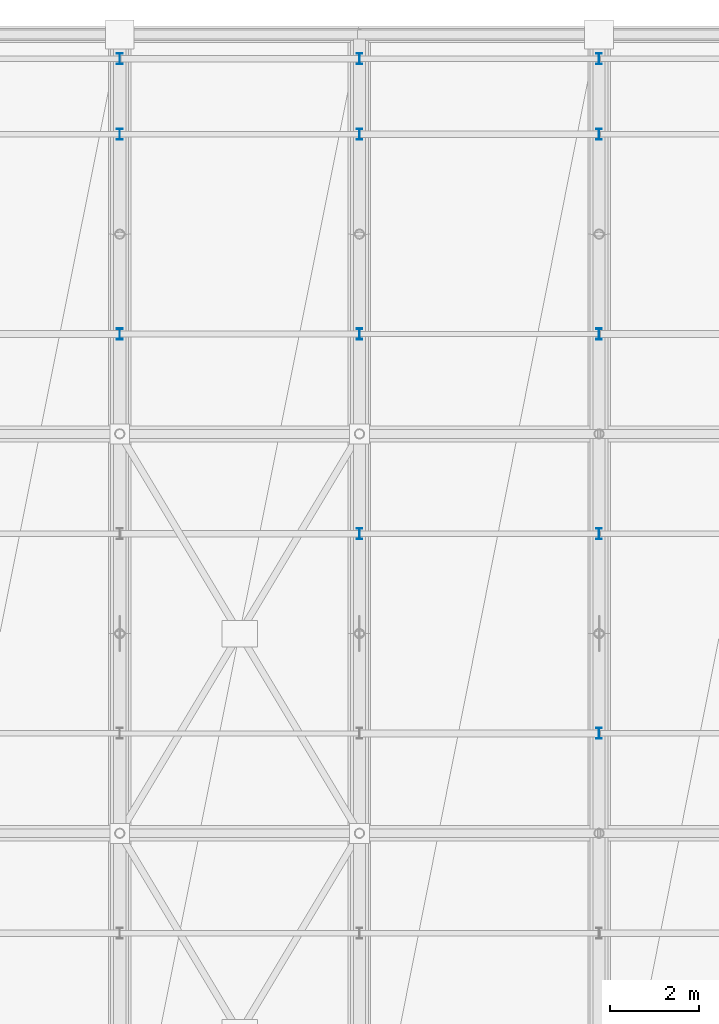
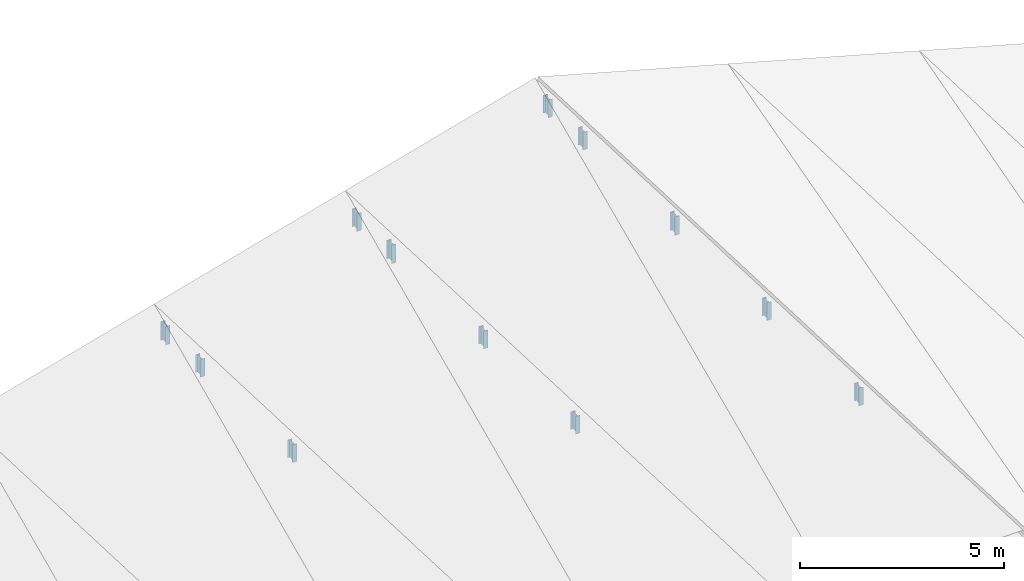
# One storey, part 66 of 109: 12 members.
"""IFC4 building model written with IfcOpenShell, lengths in metres."""

import ifcopenshell
import ifcopenshell.guid

model = None  # the IFC model being written
_history = None  # IfcOwnerHistory: only IFC2X3 demands one
_inside = {}  # id of a spatial element -> (the spatial element, [elements in it])
_under = {}  # id of a project, library or spatial element -> (it, [spatial elements below it])
_declared = {}  # id of a project -> (the project, [libraries it declares])
_typed = {}  # id of a type object -> (the type object, [elements of that type])
_made_of = {}  # id of a material, layer set ... -> (it, [elements and type objects made of it])


def new_model(schema):
    """Start an empty IFC model of exactly this schema.

    Asked for "IFC4X3", IfcOpenShell would pick the latest addendum, in which some entities
    have other attributes; the version numbers below select the first issue.
    IFC2X3 requires an IfcOwnerHistory on every rooted entity: one is made here for all.
    """
    global model, _history
    if schema == "IFC4X3":
        model = ifcopenshell.file(schema_version=(4, 3, 0, 0))
    else:
        model = ifcopenshell.file(schema=schema)
    _inside.clear()
    _under.clear()
    _declared.clear()
    _typed.clear()
    _made_of.clear()
    _history = None
    if model.schema == "IFC2X3":
        org = make("IfcOrganization", Name="unknown")
        user = make(
            "IfcPersonAndOrganization",
            ThePerson=make("IfcPerson", FamilyName="unknown"),
            TheOrganization=org,
        )
        app = make(
            "IfcApplication",
            ApplicationDeveloper=org,
            Version="unknown",
            ApplicationFullName="unknown",
            ApplicationIdentifier="unknown",
        )
        _history = make(
            "IfcOwnerHistory",
            OwningUser=user,
            OwningApplication=app,
            ChangeAction="ADDED",
            CreationDate=0,
        )
    return model


def make(cls, **values):
    """One entity of the class cls with the attributes given. An attribute that is None is left unset."""
    return model.create_entity(
        cls, **{name: value for name, value in values.items() if value is not None}
    )


def rooted(cls, **values):
    """An entity with a GlobalId (a new one), such as an element, a storey or a relation."""
    return make(cls, GlobalId=ifcopenshell.guid.new(), OwnerHistory=_history, **values)


def si_unit(unit_type, name, prefix=None):
    """IfcSIUnit, for example si_unit("LENGTHUNIT", "METRE", prefix="MILLI")."""
    return make("IfcSIUnit", UnitType=unit_type, Prefix=prefix, Name=name)


def assignment(units):
    """IfcUnitAssignment: the units of a project."""
    return None if units is None else make("IfcUnitAssignment", Units=units)


def point(xyz):
    """IfcCartesianPoint."""
    return None if xyz is None else make("IfcCartesianPoint", Coordinates=xyz)


def direction(xyz):
    """IfcDirection."""
    return None if xyz is None else make("IfcDirection", DirectionRatios=xyz)


def frame(location, z_axis=None, x_axis=None):
    """IfcAxis2Placement3D, a coordinate frame: its origin and axes. An axis left out is left unset."""
    return make(
        "IfcAxis2Placement3D",
        Location=point(location),
        Axis=direction(z_axis),
        RefDirection=direction(x_axis),
    )


def frame_2d(location, x_axis=None):
    """IfcAxis2Placement2D, a coordinate frame in the plane: its origin and x axis."""
    return make(
        "IfcAxis2Placement2D", Location=point(location), RefDirection=direction(x_axis)
    )


def origin():
    """The frame at (0, 0, 0) with its axes left unset."""
    return frame((0.0, 0.0, 0.0))


def origin_2d():
    """The frame at (0, 0) in the plane with its x axis left unset."""
    return frame_2d((0.0, 0.0))


def place(relative_to, where):
    """IfcLocalPlacement: puts the frame where relative to a parent placement (None: the world)."""
    return make(
        "IfcLocalPlacement", PlacementRelTo=relative_to, RelativePlacement=where
    )


def context(
    kind, dimensions, precision=None, world=None, true_north=None, identifier=None
):
    """IfcGeometricRepresentationContext, for example the 3D "Model" context."""
    return make(
        "IfcGeometricRepresentationContext",
        ContextIdentifier=identifier,
        ContextType=kind,
        CoordinateSpaceDimension=dimensions,
        Precision=precision,
        WorldCoordinateSystem=world,
        TrueNorth=true_north,
    )


def subcontext(parent, identifier, kind, view, scale=None):
    """IfcGeometricRepresentationSubContext, for example "Body" below "Model"."""
    return make(
        "IfcGeometricRepresentationSubContext",
        ContextIdentifier=identifier,
        ContextType=kind,
        ParentContext=parent,
        TargetScale=scale,
        TargetView=view,
    )


def project(units=None, contexts=None):
    """IfcProject with its units and contexts."""
    return rooted(
        "IfcProject",
        Name="project",
        RepresentationContexts=contexts,
        UnitsInContext=assignment(units),
    )


def spatial(cls, under=None, at=None, **own):
    """A site, building, storey or space (cls), placed at a placement, below another one or the project."""
    s = rooted(cls, ObjectPlacement=at, **own)
    if under is not None:
        _under.setdefault(under.id(), (under, []))[1].append(s)
    return s


def profile(cls, at=None, kind="AREA", **sizes):
    """A parametric profile (cls). Its sizes go by their IFC names, for example OverallWidth=200.0."""
    return make(cls, ProfileType=kind, Position=at, **sizes)


def i_section(**sizes):
    """IfcIShapeProfileDef."""
    return profile("IfcIShapeProfileDef", **sizes)


def extrude(swept, where, along, depth):
    """IfcExtrudedAreaSolid: the profile swept, set in the frame where, extruded along a direction by depth."""
    return make(
        "IfcExtrudedAreaSolid",
        SweptArea=swept,
        Position=where,
        ExtrudedDirection=direction(along),
        Depth=depth,
    )


def shape(context_of_items, identifier, shape_type, items):
    """IfcShapeRepresentation: the items that make up one representation, for example the "Body"."""
    return make(
        "IfcShapeRepresentation",
        ContextOfItems=context_of_items,
        RepresentationIdentifier=identifier,
        RepresentationType=shape_type,
        Items=items,
    )


def material(Name=None, Category=None):
    """IfcMaterial."""
    return make("IfcMaterial", Name=Name, Category=Category)


def material_profile(
    of_material, cross_section, Name=None, Category=None, Priority=None
):
    """IfcMaterialProfile: a cross section and its material."""
    return make(
        "IfcMaterialProfile",
        Name=Name,
        Material=of_material,
        Profile=cross_section,
        Priority=Priority,
        Category=Category,
    )


def profile_set(profiles, Name=None, composite=None):
    """IfcMaterialProfileSet."""
    return make(
        "IfcMaterialProfileSet",
        Name=Name,
        MaterialProfiles=profiles,
        CompositeProfile=composite,
    )


def made_of(thing, what):
    """Note that an element or type object is made of a material, layer set ...; save() writes the relation."""
    if what is not None:
        _made_of.setdefault(what.id(), (what, []))[1].append(thing)
    return thing


def type_object(cls, material=None, **own):
    """A type object (cls), such as IfcWallType, which elements share."""
    return made_of(rooted(cls, **own), material)


def element(
    cls,
    number,
    at=None,
    inside=None,
    cuts=None,
    type_object=None,
    material=None,
    context=None,
    identifier="Body",
    shape_type=None,
    held_by="IfcProductDefinitionShape",
    body=None,
    shapes=None,
    **own,
):
    """One element of the class cls, such as IfcWall. Its Tag is "e" and its number.

    at: its placement. inside: the storey or other place that contains it. cuts: it is an
    opening in that element (IfcRelVoidsElement). A single representation is given by context,
    identifier, shape_type and body (its items); several are given by shapes. held_by: the class
    of the entity that holds the representations. save() writes the other relations.
    """
    e = rooted(cls, Tag="e%d" % number, ObjectPlacement=at, **own)
    if body is not None:
        shapes = [shape(context, identifier, shape_type, body)]
    if shapes is not None:
        e.Representation = make(held_by, Representations=shapes)
    if inside is not None:
        _inside.setdefault(inside.id(), (inside, []))[1].append(e)
    if cuts is not None:
        rooted(
            "IfcRelVoidsElement", RelatingBuildingElement=cuts, RelatedOpeningElement=e
        )
    if type_object is not None:
        _typed.setdefault(type_object.id(), (type_object, []))[1].append(e)
    return made_of(e, material)


def aggregate(whole, parts):
    """IfcRelAggregates: a whole, such as a stair, and the parts it consists of."""
    return rooted("IfcRelAggregates", RelatingObject=whole, RelatedObjects=parts)


def save(model, path):
    """Write the relations noted so far, then the file.

    IfcRelAggregates (storeys below a building ...), IfcRelContainedInSpatialStructure (elements
    in a storey), IfcRelDefinesByType, IfcRelAssociatesMaterial and IfcRelDeclares: one each for
    every whole, place, type object, material and project.
    """
    for whole, parts in _under.values():
        aggregate(whole, parts)
    for where, things in _inside.values():
        rooted(
            "IfcRelContainedInSpatialStructure",
            RelatedElements=things,
            RelatingStructure=where,
        )
    for kind, things in _typed.values():
        rooted("IfcRelDefinesByType", RelatedObjects=things, RelatingType=kind)
    for what, things in _made_of.values():
        rooted("IfcRelAssociatesMaterial", RelatedObjects=things, RelatingMaterial=what)
    for by, libraries in _declared.values():
        rooted("IfcRelDeclares", RelatingContext=by, RelatedDefinitions=libraries)
    model.write(path)


model = new_model("IFC4")

# Units and contexts
model_context = context("Model", 3, precision=1e-05, world=origin(), true_north=direction((0.0, 1.0)))
body_context = subcontext(model_context, "Body", "Model", "MODEL_VIEW")
ifc_project = project(units=[si_unit("LENGTHUNIT", "METRE"), si_unit("AREAUNIT", "SQUARE_METRE"), si_unit("VOLUMEUNIT", "CUBIC_METRE"), si_unit("PLANEANGLEUNIT", "RADIAN"), si_unit("MASSUNIT", "GRAM", prefix="KILO")], contexts=[model_context])

# Site, building, storey
site_placement = place(None, origin())
site = spatial("IfcSite", under=ifc_project, at=site_placement, CompositionType="ELEMENT")
building_placement = place(site_placement, origin())
building = spatial("IfcBuilding", under=site, at=building_placement, Name="Suirenkawa Promenade Aquatics Centre", CompositionType="ELEMENT")
storey_placement = place(building_placement, frame((0.0, 0.0, 22.800048828125)))
storey = spatial("IfcBuildingStorey", under=building, at=storey_placement, Name="ROOF", CompositionType="ELEMENT", Elevation=22.800048828125)

# Members
ifc_material = material(Name="Steel IS 2062 E350 (Grade 350)", Category="steel")
ifc_material_profile = material_profile(ifc_material, i_section(OverallWidth=0.125, OverallDepth=0.25, WebThickness=0.007080078125, FlangeThickness=0.012939453125, at=origin_2d()), Name="ISMB 250", Category="steel")
ifc_profile_set = profile_set([ifc_material_profile], Name="Steel IS 2062 E350 (Grade 350)")
member_type = type_object("IfcMemberType", Name="MT-WEB-CHS168", PredefinedType="BRACE", material=ifc_profile_set)
member_1_placement = place(storey_placement, frame((57.60009765625, 115.64990234375, -7.2451171875), z_axis=(0.0, 0.0, 1.0), x_axis=(1.0, 0.0, 0.0)))
element("IfcMember", 1, at=member_1_placement, inside=storey, type_object=member_type, Name="ROOF TRUSS Purlin cleat post TD-03 MB-1754", PredefinedType="BRACE", context=body_context, shape_type="SweptSolid", body=[
    extrude(i_section(OverallWidth=0.125, OverallDepth=0.25, WebThickness=0.007080078125, FlangeThickness=0.012939453125, at=origin_2d()), origin(), (0.0, 0.0, 1.0), 0.528076171875),
])
member_2_placement = place(storey_placement, frame((57.60009765625, 120.14990234375, -7.427978515625), z_axis=(0.0, 0.0, 1.0), x_axis=(1.0, 0.0, 0.0)))
element("IfcMember", 2, at=member_2_placement, inside=storey, type_object=member_type, Name="ROOF TRUSS Purlin cleat post TD-03 MB-1756", PredefinedType="BRACE", context=body_context, shape_type="SweptSolid", body=[
    extrude(i_section(OverallWidth=0.125, OverallDepth=0.25, WebThickness=0.007080078125, FlangeThickness=0.012939453125, at=origin_2d()), origin(), (0.0, 0.0, 1.0), 0.52783203125),
])
member_3_placement = place(storey_placement, frame((57.60009765625, 121.85009765625, -7.498046875), z_axis=(0.0, 0.0, 1.0), x_axis=(1.0, 0.0, 0.0)))
element("IfcMember", 3, at=member_3_placement, inside=storey, type_object=member_type, Name="ROOF TRUSS Purlin cleat post TD-03 MB-1758", PredefinedType="BRACE", context=body_context, shape_type="SweptSolid", body=[
    extrude(i_section(OverallWidth=0.125, OverallDepth=0.25, WebThickness=0.007080078125, FlangeThickness=0.012939453125, at=origin_2d()), origin(), (0.0, 0.0, 1.0), 0.553955078125),
])
for number, where, z_axis, x_axis, name in (
    (4, (63.0, 111.14990234375, -5.56201171875), (0.0, 0.0, 1.0), (1.0, 0.0, 0.0), "ROOF TRUSS Purlin cleat post TD-03 MB-1788"),
    (5, (63.0, 115.64990234375, -5.7451171875), (0.0, 0.0, 1.0), (1.0, 0.0, 0.0), "ROOF TRUSS Purlin cleat post TD-03 MB-1790"),
):
    element("IfcMember", number, at=place(storey_placement, frame(where, z_axis=z_axis, x_axis=x_axis)), inside=storey, type_object=member_type, Name=name, PredefinedType="BRACE", context=body_context, shape_type="SweptSolid", body=[
        extrude(i_section(OverallWidth=0.125, OverallDepth=0.25, WebThickness=0.007080078125, FlangeThickness=0.012939453125, at=origin_2d()), origin(), (0.0, 0.0, 1.0), 0.528076171875),
    ])
member_4_placement = place(storey_placement, frame((63.0, 120.14990234375, -5.927978515625), z_axis=(0.0, 0.0, 1.0), x_axis=(1.0, 0.0, 0.0)))
element("IfcMember", 6, at=member_4_placement, inside=storey, type_object=member_type, Name="ROOF TRUSS Purlin cleat post TD-03 MB-1792", PredefinedType="BRACE", context=body_context, shape_type="SweptSolid", body=[
    extrude(i_section(OverallWidth=0.125, OverallDepth=0.25, WebThickness=0.007080078125, FlangeThickness=0.012939453125, at=origin_2d()), origin(), (0.0, 0.0, 1.0), 0.552978515625),
])
member_5_placement = place(storey_placement, frame((63.0, 121.85009765625, -5.998046875), z_axis=(0.0, 0.0, 1.0), x_axis=(1.0, 0.0, 0.0)))
element("IfcMember", 7, at=member_5_placement, inside=storey, type_object=member_type, Name="ROOF TRUSS Purlin cleat post TD-03 MB-1794", PredefinedType="BRACE", context=body_context, shape_type="SweptSolid", body=[
    extrude(i_section(OverallWidth=0.125, OverallDepth=0.25, WebThickness=0.007080078125, FlangeThickness=0.012939453125, at=origin_2d()), origin(), (0.0, 0.0, 1.0), 0.528076171875),
])
member_6_placement = place(storey_placement, frame((68.39990234375, 106.64990234375, -3.8779296875), z_axis=(0.0, 0.0, 1.0), x_axis=(1.0, 0.0, 0.0)))
element("IfcMember", 8, at=member_6_placement, inside=storey, type_object=member_type, Name="ROOF TRUSS Purlin cleat post TD-03 MB-1822", PredefinedType="BRACE", context=body_context, shape_type="SweptSolid", body=[
    extrude(i_section(OverallWidth=0.125, OverallDepth=0.25, WebThickness=0.007080078125, FlangeThickness=0.012939453125, at=origin_2d()), origin(), (0.0, 0.0, 1.0), 0.52685546875),
])
member_7_placement = place(storey_placement, frame((68.39990234375, 111.14990234375, -4.06201171875), z_axis=(0.0, 0.0, 1.0), x_axis=(1.0, 0.0, 0.0)))
element("IfcMember", 9, at=member_7_placement, inside=storey, type_object=member_type, Name="ROOF TRUSS Purlin cleat post TD-03 MB-1824", PredefinedType="BRACE", context=body_context, shape_type="SweptSolid", body=[
    extrude(i_section(OverallWidth=0.125, OverallDepth=0.25, WebThickness=0.007080078125, FlangeThickness=0.012939453125, at=origin_2d()), origin(), (0.0, 0.0, 1.0), 0.529052734375),
])
member_8_placement = place(storey_placement, frame((68.39990234375, 115.64990234375, -4.2451171875), z_axis=(0.0, 0.0, 1.0), x_axis=(1.0, 0.0, 0.0)))
element("IfcMember", 10, at=member_8_placement, inside=storey, type_object=member_type, Name="ROOF TRUSS Purlin cleat post TD-03 MB-1826", PredefinedType="BRACE", context=body_context, shape_type="SweptSolid", body=[
    extrude(i_section(OverallWidth=0.125, OverallDepth=0.25, WebThickness=0.007080078125, FlangeThickness=0.012939453125, at=origin_2d()), origin(), (0.0, 0.0, 1.0), 0.552978515625),
])
member_9_placement = place(storey_placement, frame((68.39990234375, 120.14990234375, -4.427978515625), z_axis=(0.0, 0.0, 1.0), x_axis=(1.0, 0.0, 0.0)))
element("IfcMember", 11, at=member_9_placement, inside=storey, type_object=member_type, Name="ROOF TRUSS Purlin cleat post TD-03 MB-1828", PredefinedType="BRACE", context=body_context, shape_type="SweptSolid", body=[
    extrude(i_section(OverallWidth=0.125, OverallDepth=0.25, WebThickness=0.007080078125, FlangeThickness=0.012939453125, at=origin_2d()), origin(), (0.0, 0.0, 1.0), 0.52685546875),
])
member_10_placement = place(storey_placement, frame((68.39990234375, 121.85009765625, -4.498046875), z_axis=(0.0, 0.0, 1.0), x_axis=(1.0, 0.0, 0.0)))
element("IfcMember", 12, at=member_10_placement, inside=storey, type_object=member_type, Name="ROOF TRUSS Purlin cleat post TD-03 MB-1830", PredefinedType="BRACE", context=body_context, shape_type="SweptSolid", body=[
    extrude(i_section(OverallWidth=0.125, OverallDepth=0.25, WebThickness=0.007080078125, FlangeThickness=0.012939453125, at=origin_2d()), origin(), (0.0, 0.0, 1.0), 0.529052734375),
])

save(model, "model.ifc")
